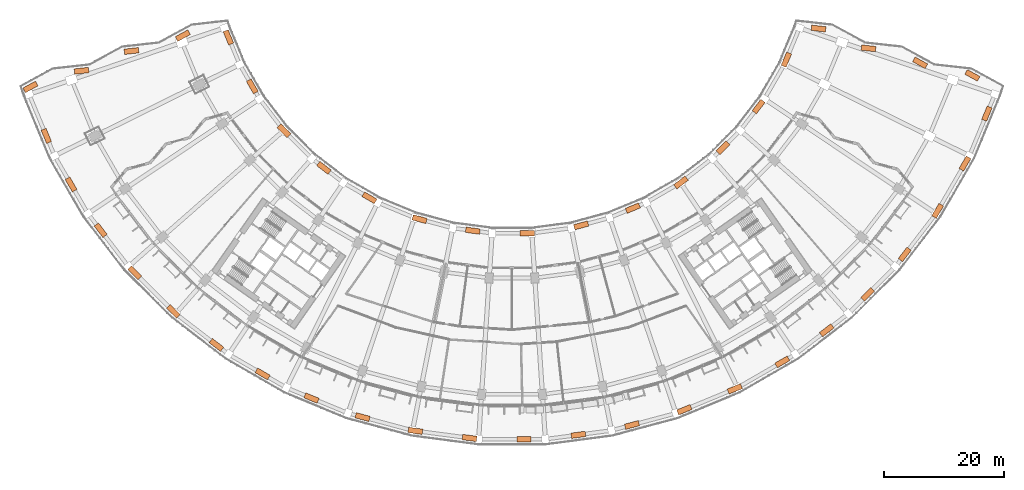
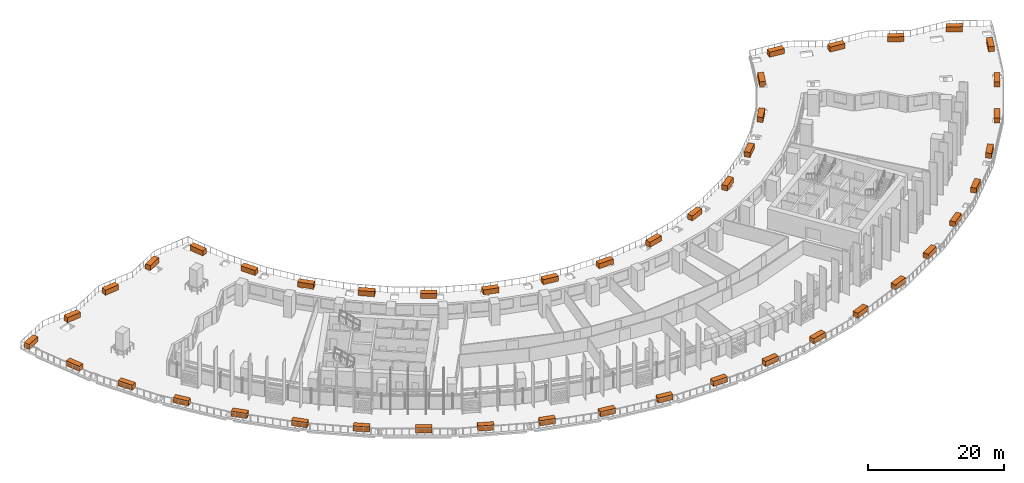
# One storey, part 35 of 35: 45 proxies.
"""IFC4 building model written with IfcOpenShell, lengths in metres."""

from ifc_helpers import new_model, si_unit, direction, frame, origin, origin_2d, place, context, subcontext, project, spatial, rectangle, extrude, material, type_object, element, save


model = new_model("IFC4")

# Units and contexts
model_context = context("Model", 3, precision=1e-05, world=origin(), true_north=direction((0.0, 1.0)))
body_context = subcontext(model_context, "Body", "Model", "MODEL_VIEW")
ifc_project = project(units=[si_unit("LENGTHUNIT", "METRE"), si_unit("AREAUNIT", "SQUARE_METRE"), si_unit("VOLUMEUNIT", "CUBIC_METRE"), si_unit("PLANEANGLEUNIT", "RADIAN"), si_unit("MASSUNIT", "GRAM", prefix="KILO")], contexts=[model_context])

# Site, building, storey
site_placement = place(None, origin())
site = spatial("IfcSite", under=ifc_project, at=site_placement, CompositionType="ELEMENT")
building_placement = place(site_placement, origin())
building = spatial("IfcBuilding", under=site, at=building_placement, Name="Qamariyya Broadcast Tower", CompositionType="ELEMENT")
storey_placement = place(building_placement, frame((0.0, 0.0, 40.5)))
storey = spatial("IfcBuildingStorey", under=building, at=storey_placement, Name="L06", CompositionType="ELEMENT", Elevation=40.5)

# Proxies
ifc_material = material(Name="Glazed terracotta", Category="masonry")
building_element_proxy_type = type_object("IfcBuildingElementProxyType", Name="Terracotta planter with saturated soil", PredefinedType="USERDEFINED", material=ifc_material)
for number, where, z_axis, x_axis, name in (
    (1, (-71.94580078125, -23.49169921875, 0.0), (0.0, 0.0, 1.0), (0.993815673392, 0.111042367232, 0.0), "e-pl-L06-t0-00"),
    (2, (-63.598876953125, -20.186279296875, 0.0), (0.0, 0.0, 1.0), (0.993820950957, 0.110995123492, 0.0), "e-pl-L06-t0-01"),
    (3, (-55.020263671875, -17.613525390625, 0.0), (0.0, 0.0, 1.0), (0.877271296138, 0.479994867653, 0.0), "e-pl-L06-t0-02"),
    (4, (-47.399169921875, -17.906005859375, 0.0), (0.0, 0.0, 1.0), (0.382683432365, -0.923879532511, 0.0), "e-pl-L06-t0-03"),
    (5, (-43.412109375, -26.09521484375, 0.0), (0.0, 0.0, 1.0), (0.5, -0.866025403784, 0.0), "e-pl-L06-t0-04"),
    (6, (-38.11328125, -33.507568359375, 0.0), (0.0, 0.0, 1.0), (0.707106781187, -0.707106781187, 0.0), "e-pl-L06-t0-05"),
    (7, (-31.43896484375, -39.710693359375, 0.0), (0.0, 0.0, 1.0), (0.793353340291, -0.608761429009, 0.0), "e-pl-L06-t0-06"),
    (8, (-23.831298828125, -44.718994140625, 0.0), (0.0, 0.0, 1.0), (0.866025403784, -0.5, 0.0), "e-pl-L06-t0-07"),
    (9, (-15.45361328125, -48.289306640625, 0.0), (0.0, 0.0, 1.0), (0.965925826289, -0.258819045103, 0.0), "e-pl-L06-t0-08"),
    (10, (-6.55078125, -50.218017578125, 0.0), (0.0, 0.0, 1.0), (0.991444861374, -0.13052619222, 0.0), "e-pl-L06-t0-09"),
    (11, (2.549072265625, -50.6435546875, 0.0), (0.0, 0.0, 1.0), (1.0, 0.0, 0.0), "e-pl-L06-t0-10"),
    (12, (11.561279296875, -49.332275390625, 0.0), (0.0, 0.0, 1.0), (0.965925826289, 0.258819045103, 0.0), "e-pl-L06-t0-11"),
    (13, (20.200927734375, -46.44873046875, 0.0), (0.0, 0.0, 1.0), (0.923879532511, 0.382683432365, 0.0), "e-pl-L06-t0-12"),
    (14, (28.2421875, -42.163818359375, 0.0), (0.0, 0.0, 1.0), (0.793353340291, 0.608761429009, 0.0), "e-pl-L06-t0-13"),
    (15, (35.263916015625, -36.35693359375, 0.0), (0.0, 0.0, 1.0), (0.707106781187, 0.707106781187, 0.0), "e-pl-L06-t0-14"),
    (16, (41.222900390625, -29.468505859375, 0.0), (0.0, 0.0, 1.0), (0.608761429009, 0.793353340291, 0.0), "e-pl-L06-t0-15"),
    (17, (45.857177734375, -21.62890625, 0.0), (0.0, 0.0, 1.0), (0.382683432365, 0.923879532511, 0.0), "e-pl-L06-t0-16"),
    (18, (51.2470703125, -16.433349609375, 0.0), (0.0, 0.0, 1.0), (0.993828440914, -0.110928039876, 0.0), "e-pl-L06-t0-17"),
    (19, (59.593994140625, -19.739013671875, 0.0), (0.0, 0.0, 1.0), (0.993820950957, -0.110995123492, 0.0), "e-pl-L06-t0-18"),
    (20, (68.22119140625, -22.157958984375, 0.0), (0.0, 0.0, 1.0), (0.877234578296, -0.480061969584, 0.0), "e-pl-L06-t0-19"),
    (21, (76.949951171875, -24.2548828125, 0.0), (0.0, 0.0, 1.0), (0.877209251129, -0.480108247934, 0.0), "e-pl-L06-t0-20"),
    (22, (79.37841796875, -30.650146484375, 0.0), (0.0, 0.0, 1.0), (-0.382683432365, -0.923879532511, 0.0), "e-pl-L06-t0-21"),
    (23, (75.710205078125, -38.99658203125, 0.0), (0.0, 0.0, 1.0), (-0.5, -0.866025403784, 0.0), "e-pl-L06-t0-22"),
    (24, (71.146484375, -46.9013671875, 0.0), (0.0, 0.0, 1.0), (-0.5, -0.866025403784, 0.0), "e-pl-L06-t0-23"),
    (25, (65.647705078125, -54.181396484375, 0.0), (0.0, 0.0, 1.0), (-0.608761429009, -0.793353340291, 0.0), "e-pl-L06-t0-24"),
    (26, (59.444580078125, -60.85595703125, 0.0), (0.0, 0.0, 1.0), (-0.707106781187, -0.707106781187, 0.0), "e-pl-L06-t0-25"),
    (27, (52.59814453125, -66.862548828125, 0.0), (0.0, 0.0, 1.0), (-0.793353340291, -0.608761429009, 0.0), "e-pl-L06-t0-26"),
    (28, (45.173095703125, -72.144287109375, 0.0), (0.0, 0.0, 1.0), (-0.866025403784, -0.5, 0.0), "e-pl-L06-t0-27"),
    (29, (37.2392578125, -76.64892578125, 0.0), (0.0, 0.0, 1.0), (-0.923879532511, -0.382683432365, 0.0), "e-pl-L06-t0-28"),
    (30, (28.806396484375, -80.14208984375, 0.0), (0.0, 0.0, 1.0), (-0.923879532511, -0.382683432365, 0.0), "e-pl-L06-t0-29"),
    (31, (20.0537109375, -82.692626953125, 0.0), (0.0, 0.0, 1.0), (-0.965925826289, -0.258819045103, 0.0), "e-pl-L06-t0-30"),
    (32, (11.0947265625, -84.338623046875, 0.0), (0.0, 0.0, 1.0), (-0.991444861374, -0.13052619222, 0.0), "e-pl-L06-t0-31"),
    (33, (2.014892578125, -85.0654296875, 0.0), (0.0, 0.0, 1.0), (-1.0, 0.0, 0.0), "e-pl-L06-t0-32"),
    (34, (-7.099609375, -84.86474609375, 0.0), (0.0, 0.0, 1.0), (-0.991444861374, 0.13052619222, 0.0), "e-pl-L06-t0-33"),
    (35, (-16.149169921875, -83.67333984375, 0.0), (0.0, 0.0, 1.0), (-0.990963202105, 0.134134007898, 0.0), "e-pl-L06-t0-34"),
    (36, (-24.97802734375, -81.373291015625, 0.0), (0.0, 0.0, 1.0), (-0.965925826289, 0.258819045103, 0.0), "e-pl-L06-t0-35"),
    (37, (-33.516357421875, -78.191162109375, 0.0), (0.0, 0.0, 1.0), (-0.923879532511, 0.382683432365, 0.0), "e-pl-L06-t0-36"),
    (38, (-41.683349609375, -74.1591796875, 0.0), (0.0, 0.0, 1.0), (-0.866025403784, 0.5, 0.0), "e-pl-L06-t0-37"),
    (39, (-49.401123046875, -69.315673828125, 0.0), (0.0, 0.0, 1.0), (-0.793353340291, 0.608761429009, 0.0), "e-pl-L06-t0-38"),
    (40, (-56.595458984375, -63.705322265625, 0.0), (0.0, 0.0, 1.0), (-0.707106781187, 0.707106781187, 0.0), "e-pl-L06-t0-39"),
    (41, (-63.049560546875, -57.2509765625, 0.0), (0.0, 0.0, 1.0), (-0.707106781187, 0.707106781187, 0.0), "e-pl-L06-t0-40"),
    (42, (-68.751220703125, -50.136962890625, 0.0), (0.0, 0.0, 1.0), (-0.608761429009, 0.793353340291, 0.0), "e-pl-L06-t0-41"),
    (43, (-73.695556640625, -42.486328125, 0.0), (0.0, 0.0, 1.0), (-0.5, 0.866025403784, 0.0), "e-pl-L06-t0-42"),
    (44, (-77.836181640625, -34.373046875, 0.0), (0.0, 0.0, 1.0), (-0.382683432365, 0.923879532511, 0.0), "e-pl-L06-t0-43"),
    (45, (-80.48486328125, -26.189453125, 0.0), (0.0, 0.0, 1.0), (0.877209251129, 0.480108247934, 0.0), "e-pl-L06-t0-44"),
):
    element("IfcBuildingElementProxy", number, at=place(storey_placement, frame(where, z_axis=z_axis, x_axis=x_axis)), inside=storey, type_object=building_element_proxy_type, Name=name, ObjectType="PLANTER", PredefinedType="USERDEFINED", context=body_context, shape_type="SweptSolid", body=[
        extrude(rectangle(XDim=2.39990234375, YDim=0.89990234375, at=origin_2d()), origin(), (0.0, 0.0, 1.0), 0.89990234375),
    ])

save(model, "model.ifc")
